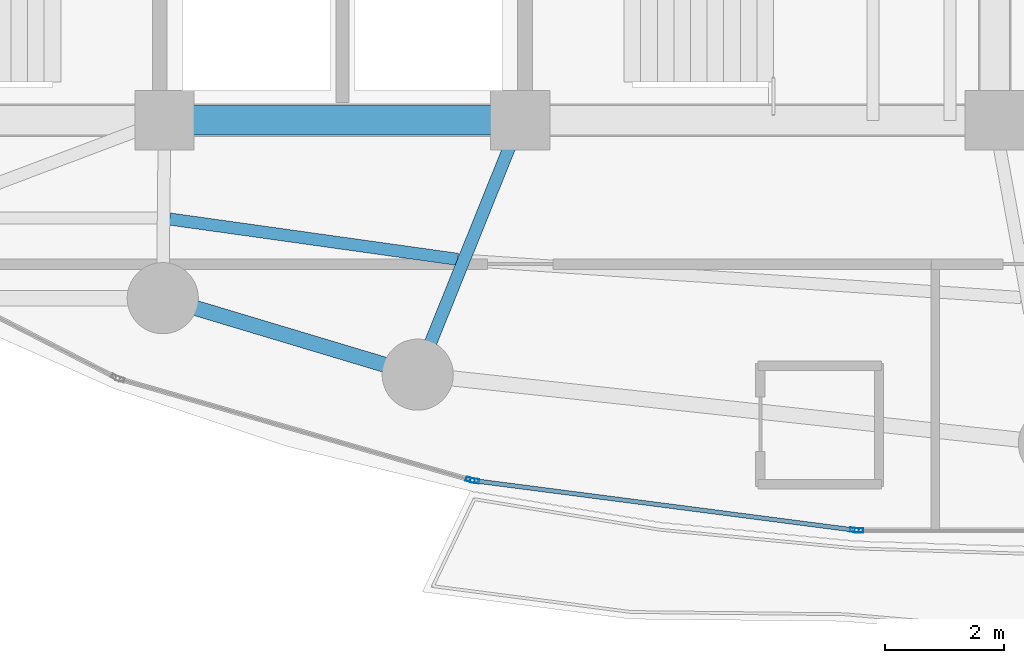
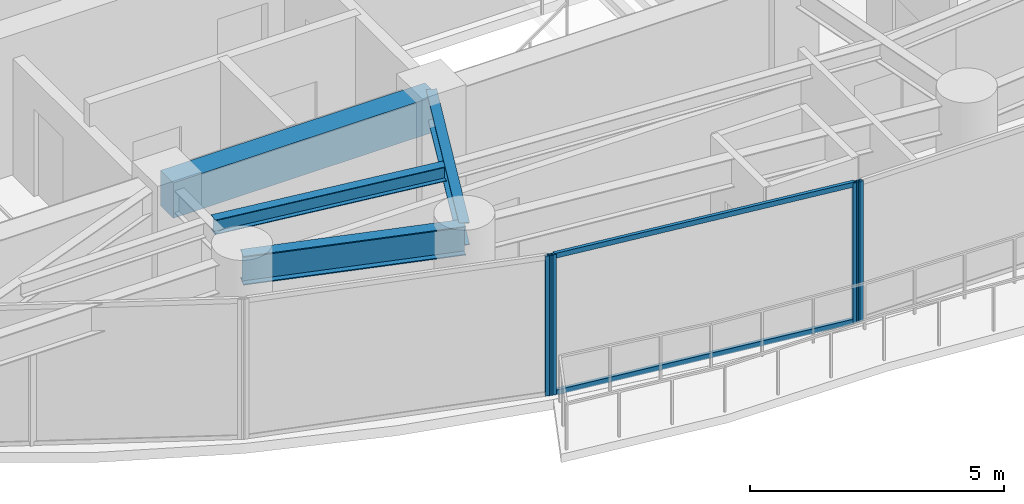
# One storey, part 5 of 31: 6 members, 4 beams, 3 elements without a shape of their own.
"""IFC4 building model written with IfcOpenShell, lengths in metres."""

from ifc_helpers import new_model, si_unit, direction, frame, origin, origin_2d, place, context, subcontext, project, spatial, rectangle, hollow_rectangle, i_section, extrude, material, layer, layer_set, material_profile, profile_set, type_object, element, aggregate, save


model = new_model("IFC4")

# Units and contexts
model_context = context("Model", 3, precision=1e-05, world=origin(), true_north=direction((0.0, 1.0)))
body_context = subcontext(model_context, "Body", "Model", "MODEL_VIEW")
ifc_project = project(units=[si_unit("LENGTHUNIT", "METRE"), si_unit("AREAUNIT", "SQUARE_METRE"), si_unit("VOLUMEUNIT", "CUBIC_METRE"), si_unit("PLANEANGLEUNIT", "RADIAN"), si_unit("MASSUNIT", "GRAM", prefix="KILO")], contexts=[model_context])

# Site, building, storey
site_placement = place(None, origin())
site = spatial("IfcSite", under=ifc_project, at=site_placement, CompositionType="ELEMENT")
building_placement = place(site_placement, origin())
building = spatial("IfcBuilding", under=site, at=building_placement, Name="Kazevale Care Tower and Concert Hall", CompositionType="ELEMENT")
storey_placement = place(building_placement, frame((0.0, 0.0, 124.199951171875)))
storey = spatial("IfcBuildingStorey", under=building, at=storey_placement, Name="L32", CompositionType="ELEMENT", Elevation=124.199951171875)

# Curtain wall, member
ifc_material_1 = material(Name="Aluminium 6063-T6 and Low-E Glass", Category="aluminium")
ifc_layer = layer(ifc_material_1, 0.179931640625)
ifc_layer_set = layer_set([ifc_layer], Name="Aluminium 6063-T6 and Low-E Glass")
curtain_wall_type = type_object("IfcCurtainWallType", Name="Sheltered Concave Balcony Curtain Wall CW-5", PredefinedType="NOTDEFINED", material=ifc_layer_set)
curtain_wall_1_placement = place(storey_placement, origin())
curtain_wall_1 = element("IfcCurtainWall", 1, at=curtain_wall_1_placement, inside=storey, type_object=curtain_wall_type, Name="cw:L32:f06", PredefinedType="NOTDEFINED")
ifc_material_2 = material(Name="Aluminium 6063-T6", Category="aluminium")
ifc_material_profile_1 = material_profile(ifc_material_2, hollow_rectangle(XDim=0.074951171875, YDim=0.14990234375, WallThickness=0.00390625, at=origin_2d()), Name="ALU75x150x4")
ifc_profile_set_1 = profile_set([ifc_material_profile_1], Name="Aluminium 6063-T6")
member_type_1 = type_object("IfcMemberType", Name="CW-5 Mullion ALU75x150x4", PredefinedType="MULLION", material=ifc_profile_set_1)
member_1_placement = place(storey_placement, frame((41.71240234375, 16.68408203125, 0.0), z_axis=(0.0, 0.0, 1.0), x_axis=(0.0, -1.0, 0.0)))
member_1 = element("IfcMember", 2, at=member_1_placement, type_object=member_type_1, Name="CW-5 mullion 2", PredefinedType="MULLION", context=body_context, shape_type="SweptSolid", body=[
    extrude(hollow_rectangle(XDim=0.074951171875, YDim=0.14990234375, WallThickness=0.00390625, at=origin_2d()), origin(), (0.0, 0.0, 1.0), 3.360107421875),
])
aggregate(curtain_wall_1, [member_1])

# Curtain wall, members
curtain_wall_2_placement = place(storey_placement, origin())
curtain_wall_2 = element("IfcCurtainWall", 3, at=curtain_wall_2_placement, inside=storey, type_object=curtain_wall_type, Name="cw:L32:f07", PredefinedType="NOTDEFINED")
member_2_placement = place(storey_placement, frame((41.6376953125, 16.688720703125, 0.0), z_axis=(0.0, 0.0, 1.0), x_axis=(-0.12868500567, -0.991685519364, 0.0)))
member_2 = element("IfcMember", 4, at=member_2_placement, type_object=member_type_1, Name="CW-5 mullion 1", PredefinedType="MULLION", context=body_context, shape_type="SweptSolid", body=[
    extrude(hollow_rectangle(XDim=0.074951171875, YDim=0.14990234375, WallThickness=0.00390625, at=origin_2d()), origin(), (0.0, 0.0, 1.0), 3.360107421875),
])
member_3_placement = place(storey_placement, frame((35.231201171875, 17.520263671875, 0.0), z_axis=(0.0, 0.0, 1.0), x_axis=(-0.12868500567, -0.991685519364, 0.0)))
member_3 = element("IfcMember", 5, at=member_3_placement, type_object=member_type_1, Name="CW-5 mullion 2", PredefinedType="MULLION", context=body_context, shape_type="SweptSolid", body=[
    extrude(hollow_rectangle(XDim=0.074951171875, YDim=0.14990234375, WallThickness=0.00390625, at=origin_2d()), origin(), (0.0, 0.0, 1.0), 3.360107421875),
])

# Curtain wall, member
curtain_wall_3_placement = place(storey_placement, origin())
curtain_wall_3 = element("IfcCurtainWall", 6, at=curtain_wall_3_placement, inside=storey, type_object=curtain_wall_type, Name="cw:L32:f08", PredefinedType="NOTDEFINED")
member_4_placement = place(storey_placement, frame((35.157958984375, 17.535400390625, 0.0), z_axis=(0.0, 0.0, 1.0), x_axis=(-0.276290733172, -0.961074102639, 0.0)))
member_4 = element("IfcMember", 7, at=member_4_placement, type_object=member_type_1, Name="CW-5 mullion 1", PredefinedType="MULLION", context=body_context, shape_type="SweptSolid", body=[
    extrude(hollow_rectangle(XDim=0.074951171875, YDim=0.14990234375, WallThickness=0.00390625, at=origin_2d()), origin(), (0.0, 0.0, 1.0), 3.360107421875),
])
aggregate(curtain_wall_3, [member_4])

# Member
ifc_material_profile_2 = material_profile(ifc_material_2, hollow_rectangle(XDim=0.074951171875, YDim=0.1201171875, WallThickness=0.00390625, at=origin_2d()), Name="ALU75x120x4")
ifc_profile_set_2 = profile_set([ifc_material_profile_2], Name="Aluminium 6063-T6")
member_type_2 = type_object("IfcMemberType", Name="CW-5 Transom ALU75x120x4", PredefinedType="USERDEFINED", material=ifc_profile_set_2)
member_5_placement = place(storey_placement, frame((41.6005859375, 16.693603515625, 0.03759765625), z_axis=(-0.991683991743, 0.12869677743, 0.0), x_axis=(-0.12869677743, -0.991683991743, 0.0)))
member_5 = element("IfcMember", 8, at=member_5_placement, type_object=member_type_2, Name="CW-5 transom 1.1", ObjectType="TRANSOM", PredefinedType="USERDEFINED", context=body_context, shape_type="SweptSolid", body=[
    extrude(hollow_rectangle(XDim=0.074951171875, YDim=0.1201171875, WallThickness=0.00390625, at=origin_2d()), origin(), (0.0, 0.0, 1.0), 6.385498046875),
])

member_6_placement = place(storey_placement, frame((41.6005859375, 16.693603515625, 3.322509765625), z_axis=(-0.991683991743, 0.12869677743, 0.0), x_axis=(-0.12869677743, -0.991683991743, 0.0)))
member_6 = element("IfcMember", 9, at=member_6_placement, type_object=member_type_2, Name="CW-5 transom 1.2", ObjectType="TRANSOM", PredefinedType="USERDEFINED", context=body_context, shape_type="SweptSolid", body=[
    extrude(hollow_rectangle(XDim=0.074951171875, YDim=0.1201171875, WallThickness=0.00390625, at=origin_2d()), origin(), (0.0, 0.0, 1.0), 6.385498046875),
])

aggregate(curtain_wall_2, [member_2, member_3, member_5, member_6])

# Beams
ifc_material_3 = material(Name="Concrete C60", Category="concrete")
ifc_material_profile_3 = material_profile(ifc_material_3, rectangle(XDim=0.5, YDim=0.85009765625, at=origin_2d()), Name="RC-B500x850")
ifc_profile_set_3 = profile_set([ifc_material_profile_3], Name="Concrete C60")
beam_type_1 = type_object("IfcBeamType", Name="Core Coupling Beam RC500x850", PredefinedType="LINTEL", material=ifc_profile_set_3)
beam_1_placement = place(storey_placement, frame((30.0, 23.60009765625, 2.93505859375), z_axis=(1.0, 0.0, 0.0), x_axis=(0.0, 1.0, 0.0)))
element("IfcBeam", 10, at=beam_1_placement, inside=storey, type_object=beam_type_1, Name="beam:L32:coretie:2", PredefinedType="LINTEL", context=body_context, shape_type="SweptSolid", body=[
    extrude(rectangle(XDim=0.5, YDim=0.85009765625, at=origin_2d()), origin(), (0.0, 0.0, 1.0), 6.0),
])
ifc_material_4 = material(Name="Steel ASTM A572 Gr 50", Category="steel")
ifc_material_profile_4 = material_profile(ifc_material_4, i_section(OverallWidth=0.2119140625, OverallDepth=0.5439453125, WebThickness=0.01318359375, FlangeThickness=0.021240234375, at=origin_2d()), Name="W530x123")
ifc_profile_set_4 = profile_set([ifc_material_profile_4], Name="Steel ASTM A572 Gr 50")
beam_type_2 = type_object("IfcBeamType", Name="Radial Floor Girder W530x123", PredefinedType="BEAM", material=ifc_profile_set_4)
beam_2_placement = place(storey_placement, frame((36.0, 23.60009765625, 3.088134765625), z_axis=(-0.373991766452, -0.927432023722, 0.0), x_axis=(0.927432023722, -0.373991766452, 0.0)))
element("IfcBeam", 11, at=beam_2_placement, inside=storey, type_object=beam_type_2, Name="beam:L32:rad:12", PredefinedType="BEAM", context=body_context, shape_type="SweptSolid", body=[
    extrude(i_section(OverallWidth=0.2119140625, OverallDepth=0.5439453125, WebThickness=0.01318359375, FlangeThickness=0.021240234375, at=origin_2d()), origin(), (0.0, 0.0, 1.0), 4.625732421875),
])
ifc_material_profile_5 = material_profile(ifc_material_4, i_section(OverallWidth=0.205078125, OverallDepth=0.35400390625, WebThickness=0.009521484375, FlangeThickness=0.016845703125, at=origin_2d()), Name="W360x79")
ifc_profile_set_5 = profile_set([ifc_material_profile_5], Name="Steel ASTM A572 Gr 50")
beam_type_3 = type_object("IfcBeamType", Name="Secondary Floor Joist W360x79", PredefinedType="JOIST", material=ifc_profile_set_5)
beam_3_placement = place(storey_placement, frame((30.0869140625, 21.93505859375, 3.18310546875), z_axis=(0.990340789942, -0.138654678164, 0.0), x_axis=(0.138654678164, 0.990340789942, 0.0)))
element("IfcBeam", 12, at=beam_3_placement, inside=storey, type_object=beam_type_3, Name="beam:L32:joist:11", PredefinedType="JOIST", context=body_context, shape_type="SweptSolid", body=[
    extrude(i_section(OverallWidth=0.205078125, OverallDepth=0.35400390625, WebThickness=0.009521484375, FlangeThickness=0.016845703125, at=origin_2d()), origin(), (0.0, 0.0, 1.0), 4.905517578125),
])
ifc_material_profile_6 = material_profile(ifc_material_4, i_section(OverallWidth=0.256103515625, OverallDepth=0.693115234375, WebThickness=0.014404296875, FlangeThickness=0.023681640625, at=origin_2d()), Name="W690x170")
ifc_profile_set_6 = profile_set([ifc_material_profile_6], Name="Steel ASTM A572 Gr 50")
beam_type_4 = type_object("IfcBeamType", Name="Waist Ring Beam W690x170", PredefinedType="BEAM", material=ifc_profile_set_6)
beam_4_placement = place(storey_placement, frame((29.969970703125, 20.60009765625, 3.013427734375), z_axis=(0.957824788464, -0.287352874709, 0.0), x_axis=(0.287352874709, 0.957824788464, 0.0)))
element("IfcBeam", 13, at=beam_4_placement, inside=storey, type_object=beam_type_4, Name="beam:L32:ring:11", PredefinedType="BEAM", context=body_context, shape_type="SweptSolid", body=[
    extrude(i_section(OverallWidth=0.256103515625, OverallDepth=0.693115234375, WebThickness=0.014404296875, FlangeThickness=0.023681640625, at=origin_2d()), origin(), (0.0, 0.0, 1.0), 4.489501953125),
])

save(model, "model.ifc")
